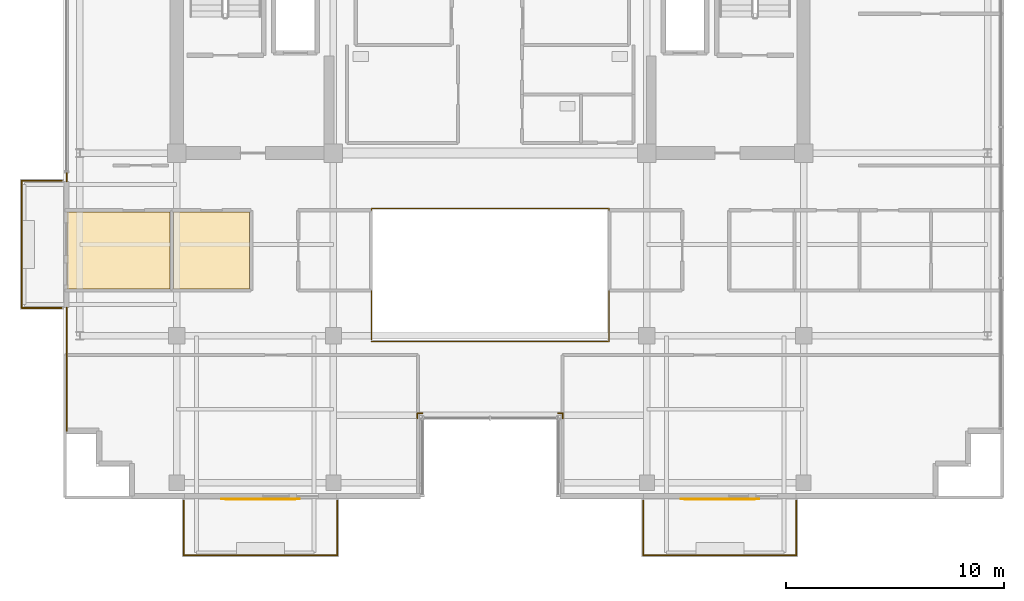
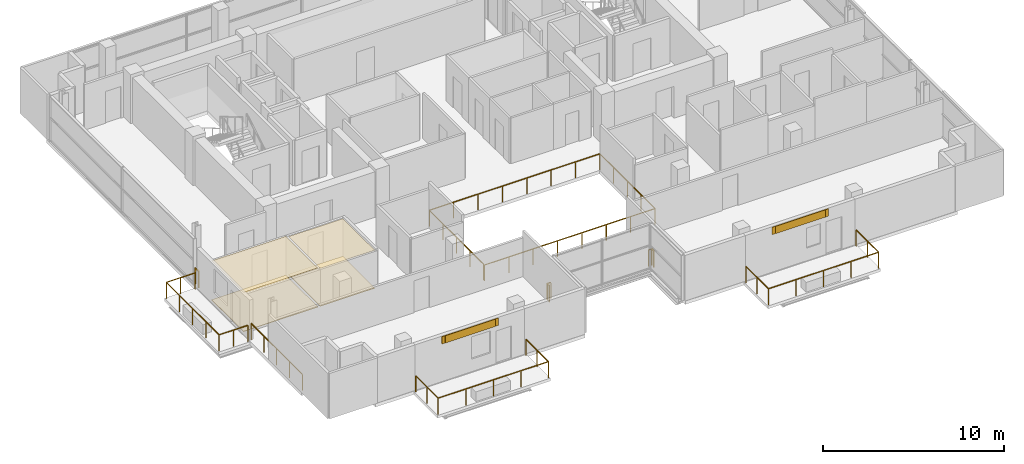
# One storey, part 19 of 21: 10 railings, 6 coverings, 2 shading devices.
"""IFC4 building model written with IfcOpenShell, lengths in metres."""

import ifcopenshell
import ifcopenshell.guid

model = None  # the IFC model being written
_history = None  # IfcOwnerHistory: only IFC2X3 demands one
_inside = {}  # id of a spatial element -> (the spatial element, [elements in it])
_under = {}  # id of a project, library or spatial element -> (it, [spatial elements below it])
_declared = {}  # id of a project -> (the project, [libraries it declares])
_typed = {}  # id of a type object -> (the type object, [elements of that type])
_made_of = {}  # id of a material, layer set ... -> (it, [elements and type objects made of it])


def new_model(schema):
    """Start an empty IFC model of exactly this schema.

    Asked for "IFC4X3", IfcOpenShell would pick the latest addendum, in which some entities
    have other attributes; the version numbers below select the first issue.
    IFC2X3 requires an IfcOwnerHistory on every rooted entity: one is made here for all.
    """
    global model, _history
    if schema == "IFC4X3":
        model = ifcopenshell.file(schema_version=(4, 3, 0, 0))
    else:
        model = ifcopenshell.file(schema=schema)
    _inside.clear()
    _under.clear()
    _declared.clear()
    _typed.clear()
    _made_of.clear()
    _history = None
    if model.schema == "IFC2X3":
        org = make("IfcOrganization", Name="unknown")
        user = make(
            "IfcPersonAndOrganization",
            ThePerson=make("IfcPerson", FamilyName="unknown"),
            TheOrganization=org,
        )
        app = make(
            "IfcApplication",
            ApplicationDeveloper=org,
            Version="unknown",
            ApplicationFullName="unknown",
            ApplicationIdentifier="unknown",
        )
        _history = make(
            "IfcOwnerHistory",
            OwningUser=user,
            OwningApplication=app,
            ChangeAction="ADDED",
            CreationDate=0,
        )
    return model


def make(cls, **values):
    """One entity of the class cls with the attributes given. An attribute that is None is left unset."""
    return model.create_entity(
        cls, **{name: value for name, value in values.items() if value is not None}
    )


def rooted(cls, **values):
    """An entity with a GlobalId (a new one), such as an element, a storey or a relation."""
    return make(cls, GlobalId=ifcopenshell.guid.new(), OwnerHistory=_history, **values)


def si_unit(unit_type, name, prefix=None):
    """IfcSIUnit, for example si_unit("LENGTHUNIT", "METRE", prefix="MILLI")."""
    return make("IfcSIUnit", UnitType=unit_type, Prefix=prefix, Name=name)


def assignment(units):
    """IfcUnitAssignment: the units of a project."""
    return None if units is None else make("IfcUnitAssignment", Units=units)


def point(xyz):
    """IfcCartesianPoint."""
    return None if xyz is None else make("IfcCartesianPoint", Coordinates=xyz)


def direction(xyz):
    """IfcDirection."""
    return None if xyz is None else make("IfcDirection", DirectionRatios=xyz)


def frame(location, z_axis=None, x_axis=None):
    """IfcAxis2Placement3D, a coordinate frame: its origin and axes. An axis left out is left unset."""
    return make(
        "IfcAxis2Placement3D",
        Location=point(location),
        Axis=direction(z_axis),
        RefDirection=direction(x_axis),
    )


def frame_2d(location, x_axis=None):
    """IfcAxis2Placement2D, a coordinate frame in the plane: its origin and x axis."""
    return make(
        "IfcAxis2Placement2D", Location=point(location), RefDirection=direction(x_axis)
    )


def origin():
    """The frame at (0, 0, 0) with its axes left unset."""
    return frame((0.0, 0.0, 0.0))


def origin_2d():
    """The frame at (0, 0) in the plane with its x axis left unset."""
    return frame_2d((0.0, 0.0))


def place(relative_to, where):
    """IfcLocalPlacement: puts the frame where relative to a parent placement (None: the world)."""
    return make(
        "IfcLocalPlacement", PlacementRelTo=relative_to, RelativePlacement=where
    )


def context(
    kind, dimensions, precision=None, world=None, true_north=None, identifier=None
):
    """IfcGeometricRepresentationContext, for example the 3D "Model" context."""
    return make(
        "IfcGeometricRepresentationContext",
        ContextIdentifier=identifier,
        ContextType=kind,
        CoordinateSpaceDimension=dimensions,
        Precision=precision,
        WorldCoordinateSystem=world,
        TrueNorth=true_north,
    )


def subcontext(parent, identifier, kind, view, scale=None):
    """IfcGeometricRepresentationSubContext, for example "Body" below "Model"."""
    return make(
        "IfcGeometricRepresentationSubContext",
        ContextIdentifier=identifier,
        ContextType=kind,
        ParentContext=parent,
        TargetScale=scale,
        TargetView=view,
    )


def project(units=None, contexts=None):
    """IfcProject with its units and contexts."""
    return rooted(
        "IfcProject",
        Name="project",
        RepresentationContexts=contexts,
        UnitsInContext=assignment(units),
    )


def spatial(cls, under=None, at=None, **own):
    """A site, building, storey or space (cls), placed at a placement, below another one or the project."""
    s = rooted(cls, ObjectPlacement=at, **own)
    if under is not None:
        _under.setdefault(under.id(), (under, []))[1].append(s)
    return s


def polyline(points):
    """IfcPolyline through the points."""
    return make("IfcPolyline", Points=[point(p) for p in points])


def profile(cls, at=None, kind="AREA", **sizes):
    """A parametric profile (cls). Its sizes go by their IFC names, for example OverallWidth=200.0."""
    return make(cls, ProfileType=kind, Position=at, **sizes)


def rectangle(**sizes):
    """IfcRectangleProfileDef."""
    return profile("IfcRectangleProfileDef", **sizes)


def outline(outer, holes=None, kind="AREA"):
    """IfcArbitraryClosedProfileDef: a profile drawn as a closed curve; with holes, ...WithVoids."""
    if holes is None:
        return make("IfcArbitraryClosedProfileDef", ProfileType=kind, OuterCurve=outer)
    return make(
        "IfcArbitraryProfileDefWithVoids",
        ProfileType=kind,
        OuterCurve=outer,
        InnerCurves=holes,
    )


def extrude(swept, where, along, depth):
    """IfcExtrudedAreaSolid: the profile swept, set in the frame where, extruded along a direction by depth."""
    return make(
        "IfcExtrudedAreaSolid",
        SweptArea=swept,
        Position=where,
        ExtrudedDirection=direction(along),
        Depth=depth,
    )


def shape(context_of_items, identifier, shape_type, items):
    """IfcShapeRepresentation: the items that make up one representation, for example the "Body"."""
    return make(
        "IfcShapeRepresentation",
        ContextOfItems=context_of_items,
        RepresentationIdentifier=identifier,
        RepresentationType=shape_type,
        Items=items,
    )


def source(mapping_origin, context_of_items, identifier, shape_type, items):
    """IfcRepresentationMap: a shape defined once, which mapped items show again and again."""
    return make(
        "IfcRepresentationMap",
        MappingOrigin=mapping_origin,
        MappedRepresentation=shape(context_of_items, identifier, shape_type, items),
    )


def transform(
    local_origin,
    x_axis=None,
    y_axis=None,
    z_axis=None,
    scale=None,
    scale2=None,
    scale3=None,
    uniform=True,
):
    """IfcCartesianTransformationOperator3D, or its non-uniform kind. x_axis, y_axis, z_axis: its Axis1, 2, 3."""
    if uniform:
        return make(
            "IfcCartesianTransformationOperator3D",
            Axis1=direction(x_axis),
            Axis2=direction(y_axis),
            LocalOrigin=point(local_origin),
            Scale=scale,
            Axis3=direction(z_axis),
        )
    return make(
        "IfcCartesianTransformationOperator3DnonUniform",
        Axis1=direction(x_axis),
        Axis2=direction(y_axis),
        LocalOrigin=point(local_origin),
        Scale=scale,
        Axis3=direction(z_axis),
        Scale2=scale2,
        Scale3=scale3,
    )


def mapped(mapping_source, mapping_target):
    """IfcMappedItem: shows the shape of a source again, moved by a transform."""
    return make(
        "IfcMappedItem", MappingSource=mapping_source, MappingTarget=mapping_target
    )


def material(Name=None, Category=None):
    """IfcMaterial."""
    return make("IfcMaterial", Name=Name, Category=Category)


def layer(
    of_material, thickness, ventilated=None, Name=None, Category=None, Priority=None
):
    """IfcMaterialLayer: one layer of a wall or slab, of a material (None: an air gap)."""
    return make(
        "IfcMaterialLayer",
        Material=of_material,
        LayerThickness=thickness,
        IsVentilated=ventilated,
        Name=Name,
        Category=Category,
        Priority=Priority,
    )


def layer_set(layers, Name=None):
    """IfcMaterialLayerSet."""
    return make("IfcMaterialLayerSet", MaterialLayers=layers, LayerSetName=Name)


def made_of(thing, what):
    """Note that an element or type object is made of a material, layer set ...; save() writes the relation."""
    if what is not None:
        _made_of.setdefault(what.id(), (what, []))[1].append(thing)
    return thing


def type_object(cls, material=None, **own):
    """A type object (cls), such as IfcWallType, which elements share."""
    return made_of(rooted(cls, **own), material)


def element(
    cls,
    number,
    at=None,
    inside=None,
    cuts=None,
    type_object=None,
    material=None,
    context=None,
    identifier="Body",
    shape_type=None,
    held_by="IfcProductDefinitionShape",
    body=None,
    shapes=None,
    **own,
):
    """One element of the class cls, such as IfcWall. Its Tag is "e" and its number.

    at: its placement. inside: the storey or other place that contains it. cuts: it is an
    opening in that element (IfcRelVoidsElement). A single representation is given by context,
    identifier, shape_type and body (its items); several are given by shapes. held_by: the class
    of the entity that holds the representations. save() writes the other relations.
    """
    e = rooted(cls, Tag="e%d" % number, ObjectPlacement=at, **own)
    if body is not None:
        shapes = [shape(context, identifier, shape_type, body)]
    if shapes is not None:
        e.Representation = make(held_by, Representations=shapes)
    if inside is not None:
        _inside.setdefault(inside.id(), (inside, []))[1].append(e)
    if cuts is not None:
        rooted(
            "IfcRelVoidsElement", RelatingBuildingElement=cuts, RelatedOpeningElement=e
        )
    if type_object is not None:
        _typed.setdefault(type_object.id(), (type_object, []))[1].append(e)
    return made_of(e, material)


def aggregate(whole, parts):
    """IfcRelAggregates: a whole, such as a stair, and the parts it consists of."""
    return rooted("IfcRelAggregates", RelatingObject=whole, RelatedObjects=parts)


def save(model, path):
    """Write the relations noted so far, then the file.

    IfcRelAggregates (storeys below a building ...), IfcRelContainedInSpatialStructure (elements
    in a storey), IfcRelDefinesByType, IfcRelAssociatesMaterial and IfcRelDeclares: one each for
    every whole, place, type object, material and project.
    """
    for whole, parts in _under.values():
        aggregate(whole, parts)
    for where, things in _inside.values():
        rooted(
            "IfcRelContainedInSpatialStructure",
            RelatedElements=things,
            RelatingStructure=where,
        )
    for kind, things in _typed.values():
        rooted("IfcRelDefinesByType", RelatedObjects=things, RelatingType=kind)
    for what, things in _made_of.values():
        rooted("IfcRelAssociatesMaterial", RelatedObjects=things, RelatingMaterial=what)
    for by, libraries in _declared.values():
        rooted("IfcRelDeclares", RelatingContext=by, RelatedDefinitions=libraries)
    model.write(path)


model = new_model("IFC4")

# Units and contexts
model_context = context("Model", 3, precision=1e-05, world=origin(), true_north=direction((0.0, 1.0)))
body_context = subcontext(model_context, "Body", "Model", "MODEL_VIEW")
ifc_project = project(units=[si_unit("LENGTHUNIT", "METRE"), si_unit("AREAUNIT", "SQUARE_METRE"), si_unit("VOLUMEUNIT", "CUBIC_METRE"), si_unit("PLANEANGLEUNIT", "RADIAN"), si_unit("MASSUNIT", "GRAM", prefix="KILO")], contexts=[model_context])

# Site, building, storey
site_placement = place(None, origin())
site = spatial("IfcSite", under=ifc_project, at=site_placement, CompositionType="ELEMENT")
building_placement = place(site_placement, origin())
building = spatial("IfcBuilding", under=site, at=building_placement, Name="Zarnakvel Exchange Tower", CompositionType="ELEMENT")
storey_placement = place(building_placement, frame((0.0, 0.0, 255.10009765625)))
storey = spatial("IfcBuildingStorey", under=building, at=storey_placement, Name="L72", CompositionType="ELEMENT", Elevation=255.10009765625)

# Coverings
ifc_material_1 = material(Name="Perforated Bronze Acoustic Metal Ceiling", Category="aluminium")
ifc_layer_1 = layer(ifc_material_1, 0.02001953125)
ifc_layer_set_1 = layer_set([ifc_layer_1], Name="Perforated Bronze Acoustic Metal Ceiling")
covering_type_1 = type_object("IfcCoveringType", Name="CLG-01", PredefinedType="CEILING", material=ifc_layer_set_1)
covering_1_placement = place(storey_placement, frame((0.0, 0.0, 2.64501953125)))
element("IfcCovering", 1, at=covering_1_placement, inside=storey, type_object=covering_type_1, Name="L72 Suspended Acoustic Ceiling (Sovereign Wealth Office)", PredefinedType="CEILING", context=body_context, shape_type="SweptSolid", body=[
    extrude(outline(polyline([(-19.449951171875, -3.909912109375), (-14.701904296875, -3.909912109375), (-14.701904296875, -7.43994140625), (-19.449951171875, -7.43994140625), (-19.449951171875, -3.909912109375)])), origin(), (0.0, 0.0, 1.0), 0.019775390625),
])
covering_2_placement = place(storey_placement, frame((0.0, 0.0, 2.554931640625)))
element("IfcCovering", 2, at=covering_2_placement, inside=storey, type_object=covering_type_1, Name="L72 Suspended Acoustic Ceiling (Corporate Advisory Suite)", PredefinedType="CEILING", context=body_context, shape_type="SweptSolid", body=[
    extrude(outline(polyline([(-14.5419921875, -3.909912109375), (-11.06005859375, -3.909912109375), (-11.06005859375, -7.43994140625), (-14.5419921875, -7.43994140625), (-14.5419921875, -3.909912109375)])), origin(), (0.0, 0.0, 1.0), 0.02001953125),
])
ifc_material_2 = material(Name="Heavy-Duty Raised Access Floor Panel", Category="steel")
ifc_layer_2 = layer(ifc_material_2, 0.034912109375)
ifc_layer_set_2 = layer_set([ifc_layer_2], Name="Heavy-Duty Raised Access Floor Panel")
covering_type_2 = type_object("IfcCoveringType", Name="FLR-02", PredefinedType="FLOORING", material=ifc_layer_set_2)
covering_3_placement = place(storey_placement, origin())
element("IfcCovering", 3, at=covering_3_placement, inside=storey, type_object=covering_type_2, Name="L72 Floor Finish (Sovereign Wealth Office)", PredefinedType="FLOORING", context=body_context, shape_type="SweptSolid", body=[
    extrude(outline(polyline([(-19.449951171875, -3.909912109375), (-14.701904296875, -3.909912109375), (-14.701904296875, -7.43994140625), (-19.449951171875, -7.43994140625), (-19.449951171875, -3.909912109375)])), origin(), (0.0, 0.0, 1.0), 0.034912109375),
])
covering_4_placement = place(storey_placement, origin())
element("IfcCovering", 4, at=covering_4_placement, inside=storey, type_object=covering_type_2, Name="L72 Floor Finish (Corporate Advisory Suite)", PredefinedType="FLOORING", context=body_context, shape_type="SweptSolid", body=[
    extrude(outline(polyline([(-14.5419921875, -3.909912109375), (-11.06005859375, -3.909912109375), (-11.06005859375, -7.43994140625), (-14.5419921875, -7.43994140625), (-14.5419921875, -3.909912109375)])), origin(), (0.0, 0.0, 1.0), 0.034912109375),
])

# Railings
ifc_material_3 = material(Name="Architectural Bronze Anodised Aluminium", Category="aluminium")
railing_type_1 = type_object("IfcRailingType", Name="GR-02", PredefinedType="GUARDRAIL", material=ifc_material_3)
railing_1_placement = place(storey_placement, frame((-14.070068359375, -17.179931640625, -0.03515625)))
element("IfcRailing", 5, at=railing_1_placement, inside=storey, type_object=railing_type_1, Name="L72 Balcony Guardrail BAL-L72-SW", PredefinedType="GUARDRAIL", context=body_context, shape_type="SweptSolid", body=[
    extrude(rectangle(XDim=0.048095703125, YDim=0.048095703125, at=origin_2d()), frame((0.0, 0.0, 1.09619140625), z_axis=(0.0, -1.0, 0.0), x_axis=(1.0, 0.0, 0.0)), (0.0, 0.0, 1.0), 2.489990234375),
    extrude(rectangle(XDim=0.048095703125, YDim=0.048095703125, at=origin_2d()), frame((0.0, -2.489990234375, 1.09619140625), z_axis=(1.0, 0.0, 0.0), x_axis=(0.0, 1.0, 0.0)), (0.0, 0.0, 1.0), 7.0400390625),
    extrude(rectangle(XDim=0.048095703125, YDim=0.048095703125, at=origin_2d()), frame((7.0400390625, -2.489990234375, 1.09619140625), z_axis=(0.0, 1.0, 0.0), x_axis=(-1.0, 0.0, 0.0)), (0.0, 0.0, 1.0), 2.489990234375),
    extrude(rectangle(XDim=0.0419921875, YDim=0.0419921875, at=origin_2d()), origin(), (0.0, 0.0, 1.0), 1.072021484375),
    extrude(rectangle(XDim=0.0419921875, YDim=0.0419921875, at=origin_2d()), frame((0.0, -1.2451171875, 0.0)), (0.0, 0.0, 1.0), 1.072021484375),
    extrude(rectangle(XDim=0.0419921875, YDim=0.0419921875, at=origin_2d()), frame((0.0, -2.489990234375, 0.0)), (0.0, 0.0, 1.0), 1.072021484375),
    extrude(rectangle(XDim=0.0419921875, YDim=0.0419921875, at=origin_2d()), frame((1.760009765625, -2.489990234375, 0.0)), (0.0, 0.0, 1.0), 1.072021484375),
    extrude(rectangle(XDim=0.0419921875, YDim=0.0419921875, at=origin_2d()), frame((3.52001953125, -2.489990234375, 0.0)), (0.0, 0.0, 1.0), 1.072021484375),
    extrude(rectangle(XDim=0.0419921875, YDim=0.0419921875, at=origin_2d()), frame((5.280029296875, -2.489990234375, 0.0)), (0.0, 0.0, 1.0), 1.072021484375),
    extrude(rectangle(XDim=0.0419921875, YDim=0.0419921875, at=origin_2d()), frame((7.0400390625, -2.489990234375, 0.0)), (0.0, 0.0, 1.0), 1.072021484375),
    extrude(rectangle(XDim=0.0419921875, YDim=0.0419921875, at=origin_2d()), frame((7.0400390625, -1.2451171875, 0.0)), (0.0, 0.0, 1.0), 1.072021484375),
    extrude(rectangle(XDim=0.0419921875, YDim=0.0419921875, at=origin_2d()), frame((7.0400390625, 0.0, 0.0)), (0.0, 0.0, 1.0), 1.072021484375),
])
railing_2_placement = place(storey_placement, frame((7.030029296875, -17.179931640625, -0.03515625)))
element("IfcRailing", 6, at=railing_2_placement, inside=storey, type_object=railing_type_1, Name="L72 Balcony Guardrail BAL-L72-SE", PredefinedType="GUARDRAIL", context=body_context, shape_type="SweptSolid", body=[
    extrude(rectangle(XDim=0.048095703125, YDim=0.048095703125, at=origin_2d()), frame((0.0, 0.0, 1.09619140625), z_axis=(0.0, -1.0, 0.0), x_axis=(1.0, 0.0, 0.0)), (0.0, 0.0, 1.0), 2.489990234375),
    extrude(rectangle(XDim=0.048095703125, YDim=0.048095703125, at=origin_2d()), frame((0.0, -2.489990234375, 1.09619140625), z_axis=(1.0, 0.0, 0.0), x_axis=(0.0, 1.0, 0.0)), (0.0, 0.0, 1.0), 7.0400390625),
    extrude(rectangle(XDim=0.048095703125, YDim=0.048095703125, at=origin_2d()), frame((7.0400390625, -2.489990234375, 1.09619140625), z_axis=(0.0, 1.0, 0.0), x_axis=(-1.0, 0.0, 0.0)), (0.0, 0.0, 1.0), 2.489990234375),
    extrude(rectangle(XDim=0.0419921875, YDim=0.0419921875, at=origin_2d()), origin(), (0.0, 0.0, 1.0), 1.072021484375),
    extrude(rectangle(XDim=0.0419921875, YDim=0.0419921875, at=origin_2d()), frame((0.0, -1.2451171875, 0.0)), (0.0, 0.0, 1.0), 1.072021484375),
    extrude(rectangle(XDim=0.0419921875, YDim=0.0419921875, at=origin_2d()), frame((0.0, -2.489990234375, 0.0)), (0.0, 0.0, 1.0), 1.072021484375),
    extrude(rectangle(XDim=0.0419921875, YDim=0.0419921875, at=origin_2d()), frame((1.760009765625, -2.489990234375, 0.0)), (0.0, 0.0, 1.0), 1.072021484375),
    extrude(rectangle(XDim=0.0419921875, YDim=0.0419921875, at=origin_2d()), frame((3.52001953125, -2.489990234375, 0.0)), (0.0, 0.0, 1.0), 1.072021484375),
    extrude(rectangle(XDim=0.0419921875, YDim=0.0419921875, at=origin_2d()), frame((5.280029296875, -2.489990234375, 0.0)), (0.0, 0.0, 1.0), 1.072021484375),
    extrude(rectangle(XDim=0.0419921875, YDim=0.0419921875, at=origin_2d()), frame((7.0400390625, -2.489990234375, 0.0)), (0.0, 0.0, 1.0), 1.072021484375),
    extrude(rectangle(XDim=0.0419921875, YDim=0.0419921875, at=origin_2d()), frame((7.0400390625, -1.2451171875, 0.0)), (0.0, 0.0, 1.0), 1.072021484375),
    extrude(rectangle(XDim=0.0419921875, YDim=0.0419921875, at=origin_2d()), frame((7.0400390625, 0.0, 0.0)), (0.0, 0.0, 1.0), 1.072021484375),
])
railing_3_placement = place(storey_placement, frame((-19.679931640625, -8.320068359375, -0.03515625)))
element("IfcRailing", 7, at=railing_3_placement, inside=storey, type_object=railing_type_1, Name="L72 Balcony Guardrail BAL-L72-W", PredefinedType="GUARDRAIL", context=body_context, shape_type="SweptSolid", body=[
    extrude(rectangle(XDim=0.048095703125, YDim=0.048095703125, at=origin_2d()), frame((0.0, 0.0, 1.09619140625), z_axis=(-1.0, 0.0, 0.0), x_axis=(0.0, -1.0, 0.0)), (0.0, 0.0, 1.0), 1.840087890625),
    extrude(rectangle(XDim=0.048095703125, YDim=0.048095703125, at=origin_2d()), frame((-1.840087890625, 0.0, 1.09619140625), z_axis=(0.0, 1.0, 0.0), x_axis=(-1.0, 0.0, 0.0)), (0.0, 0.0, 1.0), 5.840087890625),
    extrude(rectangle(XDim=0.048095703125, YDim=0.048095703125, at=origin_2d()), frame((-1.840087890625, 5.840087890625, 1.09619140625), z_axis=(1.0, 0.0, 0.0), x_axis=(0.0, 1.0, 0.0)), (0.0, 0.0, 1.0), 1.840087890625),
    extrude(rectangle(XDim=0.0419921875, YDim=0.0419921875, at=origin_2d()), origin(), (0.0, 0.0, 1.0), 1.072021484375),
    extrude(rectangle(XDim=0.0419921875, YDim=0.0419921875, at=origin_2d()), frame((-0.919921875, 0.0, 0.0)), (0.0, 0.0, 1.0), 1.072021484375),
    extrude(rectangle(XDim=0.0419921875, YDim=0.0419921875, at=origin_2d()), frame((-1.840087890625, 0.0, 0.0)), (0.0, 0.0, 1.0), 1.072021484375),
    extrude(rectangle(XDim=0.0419921875, YDim=0.0419921875, at=origin_2d()), frame((-1.840087890625, 1.4599609375, 0.0)), (0.0, 0.0, 1.0), 1.072021484375),
    extrude(rectangle(XDim=0.0419921875, YDim=0.0419921875, at=origin_2d()), frame((-1.840087890625, 2.919921875, 0.0)), (0.0, 0.0, 1.0), 1.072021484375),
    extrude(rectangle(XDim=0.0419921875, YDim=0.0419921875, at=origin_2d()), frame((-1.840087890625, 4.380126953125, 0.0)), (0.0, 0.0, 1.0), 1.072021484375),
    extrude(rectangle(XDim=0.0419921875, YDim=0.0419921875, at=origin_2d()), frame((-1.840087890625, 5.840087890625, 0.0)), (0.0, 0.0, 1.0), 1.072021484375),
    extrude(rectangle(XDim=0.0419921875, YDim=0.0419921875, at=origin_2d()), frame((-0.919921875, 5.840087890625, 0.0)), (0.0, 0.0, 1.0), 1.072021484375),
    extrude(rectangle(XDim=0.0419921875, YDim=0.0419921875, at=origin_2d()), frame((0.0, 5.840087890625, 0.0)), (0.0, 0.0, 1.0), 1.072021484375),
])
railing_4_placement = place(storey_placement, frame((-19.4599609375, -13.9599609375, 0.0)))
element("IfcRailing", 8, at=railing_4_placement, inside=storey, type_object=railing_type_1, Name="L72 Corner Spandrel Balustrade #1", PredefinedType="GUARDRAIL", context=body_context, shape_type="SweptSolid", body=[
    extrude(rectangle(XDim=0.048095703125, YDim=0.048095703125, at=origin_2d()), frame((0.0, 0.0, 1.09619140625), z_axis=(0.0, 1.0, 0.0), x_axis=(-1.0, 0.0, 0.0)), (0.0, 0.0, 1.0), 5.659912109375),
    extrude(rectangle(XDim=0.0419921875, YDim=0.0419921875, at=origin_2d()), origin(), (0.0, 0.0, 1.0), 1.072021484375),
    extrude(rectangle(XDim=0.0419921875, YDim=0.0419921875, at=origin_2d()), frame((0.0, 1.4150390625, 0.0)), (0.0, 0.0, 1.0), 1.072021484375),
    extrude(rectangle(XDim=0.0419921875, YDim=0.0419921875, at=origin_2d()), frame((0.0, 2.830078125, 0.0)), (0.0, 0.0, 1.0), 1.072021484375),
    extrude(rectangle(XDim=0.0419921875, YDim=0.0419921875, at=origin_2d()), frame((0.0, 4.244873046875, 0.0)), (0.0, 0.0, 1.0), 1.072021484375),
    extrude(rectangle(XDim=0.0419921875, YDim=0.0419921875, at=origin_2d()), frame((0.0, 5.659912109375, 0.0)), (0.0, 0.0, 1.0), 1.072021484375),
])
railing_5_placement = place(storey_placement, frame((-19.4599609375, -2.5, 0.0)))
element("IfcRailing", 9, at=railing_5_placement, inside=storey, type_object=railing_type_1, Name="L72 Corner Spandrel Balustrade #2", PredefinedType="GUARDRAIL", context=body_context, shape_type="SweptSolid", body=[
    extrude(rectangle(XDim=0.048095703125, YDim=0.048095703125, at=origin_2d()), frame((0.0, 0.0, 1.09619140625), z_axis=(0.0, 1.0, 0.0), x_axis=(-1.0, 0.0, 0.0)), (0.0, 0.0, 1.0), 0.39990234375),
    extrude(rectangle(XDim=0.0419921875, YDim=0.0419921875, at=origin_2d()), origin(), (0.0, 0.0, 1.0), 1.072021484375),
    extrude(rectangle(XDim=0.0419921875, YDim=0.0419921875, at=origin_2d()), frame((0.0, 0.39990234375, 0.0)), (0.0, 0.0, 1.0), 1.072021484375),
])
railing_6_placement = place(storey_placement, frame((3.340087890625, -13.3798828125, 0.0)))
element("IfcRailing", 10, at=railing_6_placement, inside=storey, type_object=railing_type_1, Name="L72 Corner Spandrel Balustrade #17", PredefinedType="GUARDRAIL", context=body_context, shape_type="SweptSolid", body=[
    extrude(rectangle(XDim=0.048095703125, YDim=0.048095703125, at=origin_2d()), frame((0.0, 0.0, 1.09619140625), z_axis=(0.0, 1.0, 0.0), x_axis=(-1.0, 0.0, 0.0)), (0.0, 0.0, 1.0), 0.219970703125),
    extrude(rectangle(XDim=0.0419921875, YDim=0.0419921875, at=origin_2d()), origin(), (0.0, 0.0, 1.0), 1.072021484375),
    extrude(rectangle(XDim=0.0419921875, YDim=0.0419921875, at=origin_2d()), frame((0.0, 0.219970703125, 0.0)), (0.0, 0.0, 1.0), 1.072021484375),
])
for number, where, name in (
    (11, (3.340087890625, -13.159912109375, 0.0), "L72 Corner Spandrel Balustrade #18"),
    (12, (-3.1201171875, -13.159912109375, 0.0), "L72 Corner Spandrel Balustrade #19"),
):
    element("IfcRailing", number, at=place(storey_placement, frame(where)), inside=storey, type_object=railing_type_1, Name=name, PredefinedType="GUARDRAIL", context=body_context, shape_type="SweptSolid", body=[
        extrude(rectangle(XDim=0.048095703125, YDim=0.048095703125, at=origin_2d()), frame((0.0, 0.0, 1.09619140625), z_axis=(-1.0, 0.0, 0.0), x_axis=(0.0, -1.0, 0.0)), (0.0, 0.0, 1.0), 0.219970703125),
        extrude(rectangle(XDim=0.0419921875, YDim=0.0419921875, at=origin_2d()), origin(), (0.0, 0.0, 1.0), 1.072021484375),
        extrude(rectangle(XDim=0.0419921875, YDim=0.0419921875, at=origin_2d()), frame((-0.219970703125, 0.0, 0.0)), (0.0, 0.0, 1.0), 1.072021484375),
    ])
railing_7_placement = place(storey_placement, frame((-3.340087890625, -13.159912109375, 0.0)))
element("IfcRailing", 13, at=railing_7_placement, inside=storey, type_object=railing_type_1, Name="L72 Corner Spandrel Balustrade #20", PredefinedType="GUARDRAIL", context=body_context, shape_type="SweptSolid", body=[
    extrude(rectangle(XDim=0.048095703125, YDim=0.048095703125, at=origin_2d()), frame((0.0, 0.0, 1.09619140625), z_axis=(0.0, -1.0, 0.0), x_axis=(1.0, 0.0, 0.0)), (0.0, 0.0, 1.0), 0.219970703125),
    extrude(rectangle(XDim=0.0419921875, YDim=0.0419921875, at=origin_2d()), origin(), (0.0, 0.0, 1.0), 1.072021484375),
    extrude(rectangle(XDim=0.0419921875, YDim=0.0419921875, at=origin_2d()), frame((0.0, -0.219970703125, 0.0)), (0.0, 0.0, 1.0), 1.072021484375),
])
railing_type_2 = type_object("IfcRailingType", Name="GR-03", PredefinedType="GUARDRAIL", material=ifc_material_3)
railing_8_placement = place(storey_placement, frame((-5.449951171875, -9.85009765625, 0.0)))
element("IfcRailing", 14, at=railing_8_placement, inside=storey, type_object=railing_type_2, Name="L72 Atrium Void Perimeter Balustrade", PredefinedType="GUARDRAIL", context=body_context, shape_type="SweptSolid", body=[
    extrude(rectangle(XDim=0.048095703125, YDim=0.048095703125, at=origin_2d()), frame((0.0, 0.0, 1.076171875), z_axis=(1.0, 0.0, 0.0), x_axis=(0.0, 1.0, 0.0)), (0.0, 0.0, 1.0), 10.89990234375),
    extrude(rectangle(XDim=0.048095703125, YDim=0.048095703125, at=origin_2d()), frame((10.89990234375, 0.0, 1.076171875), z_axis=(0.0, 1.0, 0.0), x_axis=(-1.0, 0.0, 0.0)), (0.0, 0.0, 1.0), 6.10009765625),
    extrude(rectangle(XDim=0.048095703125, YDim=0.048095703125, at=origin_2d()), frame((10.89990234375, 6.10009765625, 1.076171875), z_axis=(-1.0, 0.0, 0.0), x_axis=(0.0, -1.0, 0.0)), (0.0, 0.0, 1.0), 10.89990234375),
    extrude(rectangle(XDim=0.048095703125, YDim=0.048095703125, at=origin_2d()), frame((0.0, 6.10009765625, 1.076171875), z_axis=(0.0, -1.0, 0.0), x_axis=(1.0, 0.0, 0.0)), (0.0, 0.0, 1.0), 6.02001953125),
    extrude(rectangle(XDim=0.0419921875, YDim=0.0419921875, at=origin_2d()), origin(), (0.0, 0.0, 1.0), 1.052001953125),
    extrude(rectangle(XDim=0.0419921875, YDim=0.0419921875, at=origin_2d()), frame((1.55712890625, 0.0, 0.0)), (0.0, 0.0, 1.0), 1.052001953125),
    extrude(rectangle(XDim=0.0419921875, YDim=0.0419921875, at=origin_2d()), frame((3.1142578125, 0.0, 0.0)), (0.0, 0.0, 1.0), 1.052001953125),
    extrude(rectangle(XDim=0.0419921875, YDim=0.0419921875, at=origin_2d()), frame((4.67138671875, 0.0, 0.0)), (0.0, 0.0, 1.0), 1.052001953125),
    extrude(rectangle(XDim=0.0419921875, YDim=0.0419921875, at=origin_2d()), frame((6.228515625, 0.0, 0.0)), (0.0, 0.0, 1.0), 1.052001953125),
    extrude(rectangle(XDim=0.0419921875, YDim=0.0419921875, at=origin_2d()), frame((7.78564453125, 0.0, 0.0)), (0.0, 0.0, 1.0), 1.052001953125),
    extrude(rectangle(XDim=0.0419921875, YDim=0.0419921875, at=origin_2d()), frame((9.3427734375, 0.0, 0.0)), (0.0, 0.0, 1.0), 1.052001953125),
    extrude(rectangle(XDim=0.0419921875, YDim=0.0419921875, at=origin_2d()), frame((10.89990234375, 0.0, 0.0)), (0.0, 0.0, 1.0), 1.052001953125),
    extrude(rectangle(XDim=0.0419921875, YDim=0.0419921875, at=origin_2d()), frame((10.89990234375, 1.52490234375, 0.0)), (0.0, 0.0, 1.0), 1.052001953125),
    extrude(rectangle(XDim=0.0419921875, YDim=0.0419921875, at=origin_2d()), frame((10.89990234375, 3.050048828125, 0.0)), (0.0, 0.0, 1.0), 1.052001953125),
    extrude(rectangle(XDim=0.0419921875, YDim=0.0419921875, at=origin_2d()), frame((10.89990234375, 4.5751953125, 0.0)), (0.0, 0.0, 1.0), 1.052001953125),
    extrude(rectangle(XDim=0.0419921875, YDim=0.0419921875, at=origin_2d()), frame((10.89990234375, 6.10009765625, 0.0)), (0.0, 0.0, 1.0), 1.052001953125),
    extrude(rectangle(XDim=0.0419921875, YDim=0.0419921875, at=origin_2d()), frame((9.3427734375, 6.10009765625, 0.0)), (0.0, 0.0, 1.0), 1.052001953125),
    extrude(rectangle(XDim=0.0419921875, YDim=0.0419921875, at=origin_2d()), frame((7.78564453125, 6.10009765625, 0.0)), (0.0, 0.0, 1.0), 1.052001953125),
    extrude(rectangle(XDim=0.0419921875, YDim=0.0419921875, at=origin_2d()), frame((6.228515625, 6.10009765625, 0.0)), (0.0, 0.0, 1.0), 1.052001953125),
    extrude(rectangle(XDim=0.0419921875, YDim=0.0419921875, at=origin_2d()), frame((4.67138671875, 6.10009765625, 0.0)), (0.0, 0.0, 1.0), 1.052001953125),
    extrude(rectangle(XDim=0.0419921875, YDim=0.0419921875, at=origin_2d()), frame((3.1142578125, 6.10009765625, 0.0)), (0.0, 0.0, 1.0), 1.052001953125),
    extrude(rectangle(XDim=0.0419921875, YDim=0.0419921875, at=origin_2d()), frame((1.55712890625, 6.10009765625, 0.0)), (0.0, 0.0, 1.0), 1.052001953125),
    extrude(rectangle(XDim=0.0419921875, YDim=0.0419921875, at=origin_2d()), frame((0.0, 6.10009765625, 0.0)), (0.0, 0.0, 1.0), 1.052001953125),
    extrude(rectangle(XDim=0.0419921875, YDim=0.0419921875, at=origin_2d()), frame((0.0, 4.59521484375, 0.0)), (0.0, 0.0, 1.0), 1.052001953125),
    extrude(rectangle(XDim=0.0419921875, YDim=0.0419921875, at=origin_2d()), frame((0.0, 3.090087890625, 0.0)), (0.0, 0.0, 1.0), 1.052001953125),
    extrude(rectangle(XDim=0.0419921875, YDim=0.0419921875, at=origin_2d()), frame((0.0, 1.5849609375, 0.0)), (0.0, 0.0, 1.0), 1.052001953125),
    extrude(rectangle(XDim=0.0419921875, YDim=0.0419921875, at=origin_2d()), frame((0.0, 0.080078125, 0.0)), (0.0, 0.0, 1.0), 1.052001953125),
])

# Coverings
ifc_material_4 = material(Name="Warm Sandstone Terracotta Spandrel Tile", Category="masonry")
ifc_layer_3 = layer(ifc_material_4, 0.031982421875)
ifc_layer_set_3 = layer_set([ifc_layer_3], Name="Warm Sandstone Terracotta Spandrel Tile")
covering_type_3 = type_object("IfcCoveringType", Name="CL-02", PredefinedType="CLADDING", material=ifc_layer_set_3)
shared_shape_1 = source(origin(), body_context, "Body", "SweptSolid", [
    extrude(rectangle(XDim=3.60009765625, YDim=0.031982421875, at=origin_2d()), origin(), (0.0, 0.0, 1.0), 0.4951171875),
])
for number, where, z_axis, x_axis, name in (
    (15, (-10.550048828125, -17.093994140625, 2.559814453125), (0.0, 0.0, 1.0), (-1.0, 0.0, 0.0), "L72 Ceramic Spandrel Tilework CL-02"),
    (16, (10.550048828125, -17.093994140625, 2.559814453125), (0.0, 0.0, 1.0), (-1.0, 0.0, 0.0), "L72 Ceramic Spandrel Tilework CL-02"),
):
    element("IfcCovering", number, at=place(storey_placement, frame(where, z_axis=z_axis, x_axis=x_axis)), inside=storey, type_object=covering_type_3, Name=name, PredefinedType="CLADDING", context=body_context, shape_type="MappedRepresentation", body=[
        mapped(shared_shape_1, transform((0.0, 0.0, 0.0), x_axis=(1.0, 0.0, 0.0), y_axis=(0.0, 1.0, 0.0), z_axis=(0.0, 0.0, 1.0), scale=1.0)),
    ])

# Shading devices
ifc_material_5 = material(Name="Perforated Architectural Bronze Screen", Category="aluminium")
ifc_layer_4 = layer(ifc_material_5, 0.044921875)
ifc_layer_set_4 = layer_set([ifc_layer_4], Name="Perforated Architectural Bronze Screen")
shading_device_type = type_object("IfcShadingDeviceType", Name="SS-01", PredefinedType="JALOUSIE", material=ifc_layer_set_4)
shared_shape_2 = source(origin(), body_context, "Body", "SweptSolid", [
    extrude(rectangle(XDim=3.199951171875, YDim=0.044921875, at=origin_2d()), origin(), (0.0, 0.0, 1.0), 0.4951171875),
])
for number, where, z_axis, x_axis, name in (
    (17, (-10.550048828125, -17.1005859375, 2.559814453125), (0.0, 0.0, 1.0), (-1.0, 0.0, 0.0), "L72 Bronze Solar Shading Screen SS-01"),
    (18, (10.550048828125, -17.1005859375, 2.559814453125), (0.0, 0.0, 1.0), (-1.0, 0.0, 0.0), "L72 Bronze Solar Shading Screen SS-01"),
):
    element("IfcShadingDevice", number, at=place(storey_placement, frame(where, z_axis=z_axis, x_axis=x_axis)), inside=storey, type_object=shading_device_type, Name=name, PredefinedType="JALOUSIE", context=body_context, shape_type="MappedRepresentation", body=[
        mapped(shared_shape_2, transform((0.0, 0.0, 0.0), x_axis=(1.0, 0.0, 0.0), y_axis=(0.0, 1.0, 0.0), z_axis=(0.0, 0.0, 1.0), scale=1.0)),
    ])

save(model, "model.ifc")
